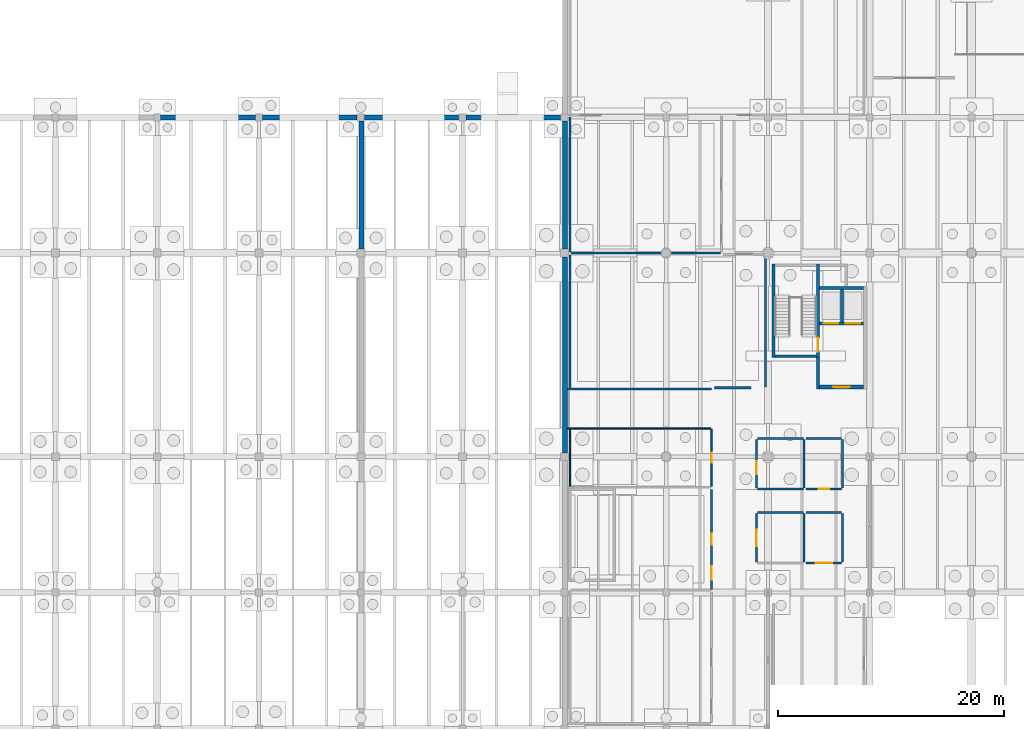
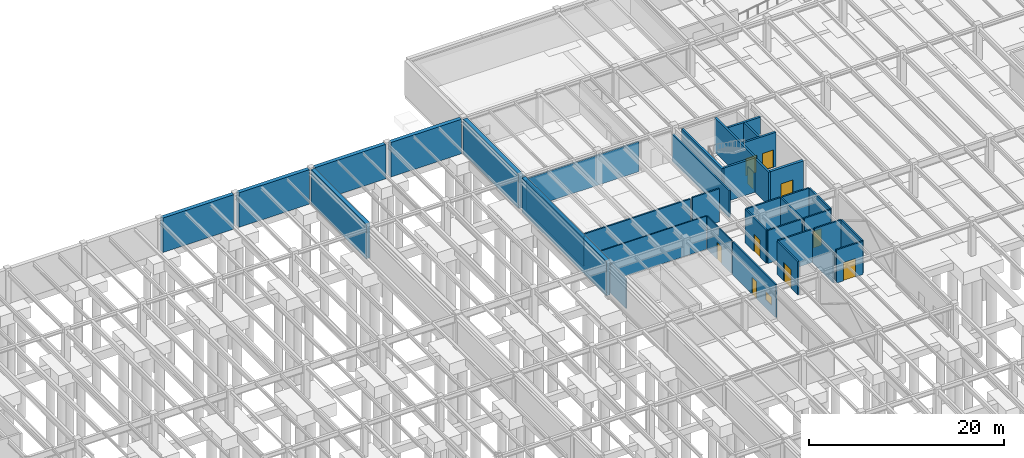
# One storey, part 32 of 40: 38 walls, 10 doors, 1 window, 11 openings.
"""IFC4 building model written with IfcOpenShell, lengths in metres."""

from ifc_helpers import new_model, si_unit, direction, frame, frame_2d, origin, place, context, subcontext, project, spatial, rectangle, extrude, material, layer, layer_set, type_object, element, fill, save


model = new_model("IFC4")

# Units and contexts
model_context = context("Model", 3, precision=1e-05, world=origin(), true_north=direction((0.0, 1.0)))
body_context = subcontext(model_context, "Body", "Model", "MODEL_VIEW")
ifc_project = project(units=[si_unit("LENGTHUNIT", "METRE"), si_unit("AREAUNIT", "SQUARE_METRE"), si_unit("VOLUMEUNIT", "CUBIC_METRE"), si_unit("PLANEANGLEUNIT", "RADIAN"), si_unit("MASSUNIT", "GRAM", prefix="KILO")], contexts=[model_context])

# Site, building, storey
site_placement = place(None, origin())
site = spatial("IfcSite", under=ifc_project, at=site_placement, CompositionType="ELEMENT")
building_placement = place(site_placement, origin())
building = spatial("IfcBuilding", under=site, at=building_placement, Name="Montelvaro Courts of Justice", CompositionType="ELEMENT")
storey_placement = place(building_placement, frame((0.0, 0.0, -4.5)))
storey = spatial("IfcBuildingStorey", under=building, at=storey_placement, Name="B01", CompositionType="ELEMENT", Elevation=-4.5)

# Wall, opening, door
ifc_material_1 = material(Name="Concrete C40/50", Category="concrete")
ifc_layer_1 = layer(ifc_material_1, 0.320068359375)
ifc_layer_set_1 = layer_set([ifc_layer_1], Name="Concrete C40/50")
wall_type_1 = type_object("IfcWallType", Name="CoreWall_320", PredefinedType="SHEAR", material=ifc_layer_set_1)
wall_1_placement = place(storey_placement, frame((121.5400390625, 84.159912109375, 0.0), z_axis=(0.0, 0.0, 1.0), x_axis=(1.0, 0.0, 0.0)))
wall_1 = element("IfcWall", 1, at=wall_1_placement, inside=storey, type_object=wall_type_1, Name="Core Shear Wall CW-02 K3-S (B01)", PredefinedType="SHEAR", context=body_context, shape_type="SweptSolid", body=[
    extrude(rectangle(XDim=3.89990234375, YDim=0.320068359375, at=frame_2d((1.949951171875, 0.0))), origin(), (0.0, 0.0, 1.0), 4.159912109375),
])
opening_1_placement = place(wall_1_placement, frame((1.22509765625, 0.0, 0.0)))
opening_1 = element("IfcOpeningElement", 2, at=opening_1_placement, cuts=wall_1, Name="Opening DL-B01-K3", PredefinedType="OPENING", context=body_context, shape_type="SweptSolid", body=[
    extrude(rectangle(XDim=1.449951171875, YDim=2.199951171875, at=frame_2d((0.72509765625, 1.10009765625))), frame((0.0, 0.1748046875, 0.0), z_axis=(0.0, -1.0, 0.0), x_axis=(1.0, 0.0, 0.0)), (0.0, 0.0, 1.0), 0.349853515625),
])
ifc_material_2 = material(Name="Galvanised steel S355 security door", Category="steel")
door_type_1 = type_object("IfcDoorType", Name="LobbyFireDoor_145x220", OperationType="DOUBLE_DOOR_SINGLE_SWING", PredefinedType="DOOR", material=ifc_material_2)
door_1_placement = place(opening_1_placement, origin())
door_1 = element("IfcDoor", 3, at=door_1_placement, inside=storey, type_object=door_type_1, Name="Core Lobby Fire Door DL-B01-K3", OperationType="DOUBLE_DOOR_SINGLE_SWING", OverallHeight=2.199951171875, OverallWidth=1.449951171875, PredefinedType="DOOR", context=body_context, shape_type="SweptSolid", body=[
    extrude(rectangle(XDim=1.449951171875, YDim=2.199951171875, at=frame_2d((0.72509765625, 1.10009765625))), frame((0.0, 0.02490234375, 0.0), z_axis=(0.0, -1.0, 0.0), x_axis=(1.0, 0.0, 0.0)), (0.0, 0.0, 1.0), 0.050048828125),
])
fill(opening_1, door_1)

# Walls
ifc_material_3 = material(Name="Fire-rated gypsum and steel stud", Category="steel")
ifc_layer_2 = layer(ifc_material_3, 0.179931640625)
ifc_layer_set_2 = layer_set([ifc_layer_2], Name="Fire-rated gypsum and steel stud")
wall_type_2 = type_object("IfcWallType", Name="CorridorFireWall_180", PredefinedType="PARTITIONING", material=ifc_layer_set_2)
wall_2_placement = place(storey_placement, frame((112.820068359375, 96.0, 0.0), z_axis=(0.0, 0.0, 1.0), x_axis=(-1.0, 0.0, 0.0)))
element("IfcWall", 4, at=wall_2_placement, inside=storey, type_object=wall_type_2, Name="Interior Partition IW-02 (B01)", PredefinedType="PARTITIONING", context=body_context, shape_type="SweptSolid", body=[
    extrude(rectangle(XDim=13.239990234375, YDim=0.179931640625, at=frame_2d((6.6201171875, 0.0))), origin(), (0.0, 0.0, 1.0), 3.7548828125),
])
wall_3_placement = place(storey_placement, frame((99.5, 96.080078125, 0.0), z_axis=(0.0, 0.0, 1.0), x_axis=(0.0, 1.0, 0.0)))
element("IfcWall", 5, at=wall_3_placement, inside=storey, type_object=wall_type_2, Name="Interior Partition IW-02 (B01)", PredefinedType="PARTITIONING", context=body_context, shape_type="SweptSolid", body=[
    extrude(rectangle(XDim=11.93994140625, YDim=0.179931640625, at=frame_2d((5.969970703125, 0.0))), origin(), (0.0, 0.0, 1.0), 3.8349609375),
])
wall_4_placement = place(storey_placement, frame((115.52001953125, 84.10009765625, 0.0), z_axis=(0.0, 0.0, 1.0), x_axis=(-1.0, 0.0, 0.0)))
element("IfcWall", 6, at=wall_4_placement, inside=storey, type_object=wall_type_2, Name="Interior Partition IW-02 (B01)", PredefinedType="PARTITIONING", context=body_context, shape_type="SweptSolid", body=[
    extrude(rectangle(XDim=3.239990234375, YDim=0.179931640625, at=frame_2d((1.6201171875, 0.0))), origin(), (0.0, 0.0, 1.0), 4.139892578125),
])
wall_5_placement = place(storey_placement, frame((112.02001953125, 84.0, 0.0), z_axis=(0.0, 0.0, 1.0), x_axis=(-1.0, 0.0, 0.0)))
element("IfcWall", 7, at=wall_5_placement, inside=storey, type_object=wall_type_2, Name="Interior Partition IW-02 (B01)", PredefinedType="PARTITIONING", context=body_context, shape_type="SweptSolid", body=[
    extrude(rectangle(XDim=12.75, YDim=0.179931640625, at=frame_2d((6.375, 0.0))), origin(), (0.0, 0.0, 1.0), 4.139892578125),
])
wall_6_placement = place(storey_placement, frame((99.5, 84.080078125, 0.0), z_axis=(0.0, 0.0, 1.0), x_axis=(0.0, 1.0, 0.0)))
element("IfcWall", 8, at=wall_6_placement, inside=storey, type_object=wall_type_2, Name="Interior Partition IW-02 (B01)", PredefinedType="PARTITIONING", context=body_context, shape_type="SweptSolid", body=[
    extrude(rectangle(XDim=11.739990234375, YDim=0.179931640625, at=frame_2d((5.8701171875, 0.0))), origin(), (0.0, 0.0, 1.0), 3.715087890625),
])
wall_7_placement = place(storey_placement, frame((116.800048828125, 95.820068359375, 0.0), z_axis=(0.0, 0.0, 1.0), x_axis=(0.0, -1.0, 0.0)))
element("IfcWall", 9, at=wall_7_placement, inside=storey, type_object=wall_type_2, Name="Interior Partition IW-02 (B01)", PredefinedType="PARTITIONING", context=body_context, shape_type="SweptSolid", body=[
    extrude(rectangle(XDim=11.64013671875, YDim=0.179931640625, at=frame_2d((5.820068359375, 0.0))), origin(), (0.0, 0.0, 1.0), 3.405029296875),
])

# Wall, openings, door, window
wall_8_placement = place(storey_placement, frame((112.0, 75.1201171875, 0.0), z_axis=(0.0, 0.0, 1.0), x_axis=(0.0, -1.0, 0.0)))
wall_8 = element("IfcWall", 10, at=wall_8_placement, inside=storey, type_object=wall_type_2, Name="Interior Partition IW-02 (B01)", PredefinedType="PARTITIONING", context=body_context, shape_type="SweptSolid", body=[
    extrude(rectangle(XDim=8.840087890625, YDim=0.179931640625, at=frame_2d((4.419921875, 0.0))), origin(), (0.0, 0.0, 1.0), 4.139892578125),
])
opening_2_placement = place(wall_8_placement, frame((3.945068359375, 0.0, 0.0)))
opening_2 = element("IfcOpeningElement", 11, at=opening_2_placement, cuts=wall_8, Name="Opening D-B01-005", PredefinedType="OPENING", context=body_context, shape_type="SweptSolid", body=[
    extrude(rectangle(XDim=0.949951171875, YDim=2.10009765625, at=frame_2d((0.47509765625, 1.050048828125))), frame((0.0, 0.10498046875, 0.0), z_axis=(0.0, -1.0, 0.0), x_axis=(1.0, 0.0, 0.0)), (0.0, 0.0, 1.0), 0.209716796875),
])
opening_3_placement = place(wall_8_placement, frame((6.7900390625, 0.0, 1.050048828125)))
opening_3 = element("IfcOpeningElement", 12, at=opening_3_placement, cuts=wall_8, Name="Opening WI-03", PredefinedType="OPENING", context=body_context, shape_type="SweptSolid", body=[
    extrude(rectangle(XDim=1.199951171875, YDim=1.0, at=frame_2d((0.60009765625, 0.5))), frame((0.0, 0.10498046875, 0.0), z_axis=(0.0, -1.0, 0.0), x_axis=(1.0, 0.0, 0.0)), (0.0, 0.0, 1.0), 0.209716796875),
])
door_type_2 = type_object("IfcDoorType", Name="CustodyCellDoor_095x210", OperationType="NOTDEFINED", PredefinedType="DOOR", material=ifc_material_2)
door_2_placement = place(opening_2_placement, frame((0.949951171875, 0.0, 0.0), z_axis=(0.0, 0.0, 1.0), x_axis=(-1.0, 0.0, 0.0)))
door_2 = element("IfcDoor", 13, at=door_2_placement, inside=storey, type_object=door_type_2, Name="Interior Door D-B01-005 (Forensic Toxicology Laboratory B01)", OperationType="SINGLE_SWING_LEFT", OverallHeight=2.10009765625, OverallWidth=0.949951171875, PredefinedType="DOOR", context=body_context, shape_type="SweptSolid", body=[
    extrude(rectangle(XDim=0.949951171875, YDim=2.10009765625, at=frame_2d((0.47509765625, 1.050048828125))), frame((0.0, 0.02490234375, 0.0), z_axis=(0.0, -1.0, 0.0), x_axis=(1.0, 0.0, 0.0)), (0.0, 0.0, 1.0), 0.050048828125),
])
fill(opening_2, door_2)
ifc_material_4 = material(Name="Acoustic laminated double glazing", Category="glass")
window_type = type_object("IfcWindowType", Name="IntVision_120x100", PartitioningType="SINGLE_PANEL", PredefinedType="WINDOW", material=ifc_material_4)
window_placement = place(opening_3_placement, origin())
window = element("IfcWindow", 14, at=window_placement, inside=storey, type_object=window_type, Name="Interior Vision Panel WI-003", OverallHeight=1.0, OverallWidth=1.199951171875, PartitioningType="SINGLE_PANEL", PredefinedType="WINDOW", context=body_context, shape_type="SweptSolid", body=[
    extrude(rectangle(XDim=1.199951171875, YDim=1.0, at=frame_2d((0.60009765625, 0.5))), frame((0.0, 0.030029296875, 0.0), z_axis=(0.0, -1.0, 0.0), x_axis=(1.0, 0.0, 0.0)), (0.0, 0.0, 1.0), 0.06005859375),
])
fill(opening_3, window)

# Wall, opening, door
wall_9_placement = place(storey_placement, frame((116.0, 68.679931640625, 0.0), z_axis=(0.0, 0.0, 1.0), x_axis=(0.0, 1.0, 0.0)))
wall_9 = element("IfcWall", 15, at=wall_9_placement, inside=storey, type_object=wall_type_2, Name="Interior Partition IW-02 (B01)", PredefinedType="PARTITIONING", context=body_context, shape_type="SweptSolid", body=[
    extrude(rectangle(XDim=4.2900390625, YDim=0.179931640625, at=frame_2d((2.14501953125, 0.0))), origin(), (0.0, 0.0, 1.0), 4.139892578125),
])
opening_4_placement = place(wall_9_placement, frame((1.419921875, 0.0, 0.0)))
opening_4 = element("IfcOpeningElement", 16, at=opening_4_placement, cuts=wall_9, Name="Opening D-B01-006", PredefinedType="OPENING", context=body_context, shape_type="SweptSolid", body=[
    extrude(rectangle(XDim=1.449951171875, YDim=2.300048828125, at=frame_2d((0.72509765625, 1.14990234375))), frame((0.0, 0.10498046875, 0.0), z_axis=(0.0, -1.0, 0.0), x_axis=(1.0, 0.0, 0.0)), (0.0, 0.0, 1.0), 0.209716796875),
])
door_type_3 = type_object("IfcDoorType", Name="ArchiveVaultDoor_145x230", OperationType="DOUBLE_DOOR_SINGLE_SWING", PredefinedType="DOOR", material=ifc_material_2)
door_3_placement = place(opening_4_placement, origin())
door_3 = element("IfcDoor", 17, at=door_3_placement, inside=storey, type_object=door_type_3, Name="Interior Door D-B01-006 (Custody Male Restroom)", OperationType="DOUBLE_DOOR_SINGLE_SWING", OverallHeight=2.300048828125, OverallWidth=1.449951171875, PredefinedType="DOOR", context=body_context, shape_type="SweptSolid", body=[
    extrude(rectangle(XDim=1.449951171875, YDim=2.300048828125, at=frame_2d((0.72509765625, 1.14990234375))), frame((0.0, 0.02490234375, 0.0), z_axis=(0.0, -1.0, 0.0), x_axis=(1.0, 0.0, 0.0)), (0.0, 0.0, 1.0), 0.050048828125),
])
fill(opening_4, door_3)

# Walls
wall_10_placement = place(storey_placement, frame((116.080078125, 73.050048828125, 0.0), z_axis=(0.0, 0.0, 1.0), x_axis=(1.0, 0.0, 0.0)))
element("IfcWall", 18, at=wall_10_placement, inside=storey, type_object=wall_type_2, Name="Interior Partition IW-02 (B01)", PredefinedType="PARTITIONING", context=body_context, shape_type="SweptSolid", body=[
    extrude(rectangle(XDim=4.0400390625, YDim=0.179931640625, at=frame_2d((2.02001953125, 0.0))), origin(), (0.0, 0.0, 1.0), 4.139892578125),
])
wall_11_placement = place(storey_placement, frame((120.199951171875, 72.969970703125, 0.0), z_axis=(0.0, 0.0, 1.0), x_axis=(0.0, -1.0, 0.0)))
element("IfcWall", 19, at=wall_11_placement, inside=storey, type_object=wall_type_2, Name="Interior Partition IW-02 (B01)", PredefinedType="PARTITIONING", context=body_context, shape_type="SweptSolid", body=[
    extrude(rectangle(XDim=4.2900390625, YDim=0.179931640625, at=frame_2d((2.14501953125, 0.0))), origin(), (0.0, 0.0, 1.0), 3.8349609375),
])

# Wall, opening, door
wall_12_placement = place(storey_placement, frame((116.0, 75.22998046875, 0.0), z_axis=(0.0, 0.0, 1.0), x_axis=(0.0, 1.0, 0.0)))
wall_12 = element("IfcWall", 20, at=wall_12_placement, inside=storey, type_object=wall_type_2, Name="Interior Partition IW-02 (B01)", PredefinedType="PARTITIONING", context=body_context, shape_type="SweptSolid", body=[
    extrude(rectangle(XDim=4.2900390625, YDim=0.179931640625, at=frame_2d((2.14501953125, 0.0))), origin(), (0.0, 0.0, 1.0), 4.139892578125),
])
opening_5_placement = place(wall_12_placement, frame((1.22705078125, 0.0, 0.0)))
opening_5 = element("IfcOpeningElement", 21, at=opening_5_placement, cuts=wall_12, Name="Opening D-B01-007", PredefinedType="OPENING", context=body_context, shape_type="SweptSolid", body=[
    extrude(rectangle(XDim=1.14990234375, YDim=2.14990234375, at=frame_2d((0.574951171875, 1.074951171875))), frame((0.0, 0.10498046875, 0.0), z_axis=(0.0, -1.0, 0.0), x_axis=(1.0, 0.0, 0.0)), (0.0, 0.0, 1.0), 0.209716796875),
])
door_type_4 = type_object("IfcDoorType", Name="CustodyDoor_115x215", OperationType="NOTDEFINED", PredefinedType="DOOR", material=ifc_material_2)
door_4_placement = place(opening_5_placement, frame((1.14990234375, 0.0, 0.0), z_axis=(0.0, 0.0, 1.0), x_axis=(-1.0, 0.0, 0.0)))
door_4 = element("IfcDoor", 22, at=door_4_placement, inside=storey, type_object=door_type_4, Name="Interior Door D-B01-007 (Custody Female Restroom)", OperationType="SINGLE_SWING_RIGHT", OverallHeight=2.14990234375, OverallWidth=1.14990234375, PredefinedType="DOOR", context=body_context, shape_type="SweptSolid", body=[
    extrude(rectangle(XDim=1.14990234375, YDim=2.14990234375, at=frame_2d((0.574951171875, 1.074951171875))), frame((0.0, 0.02490234375, 0.0), z_axis=(0.0, -1.0, 0.0), x_axis=(1.0, 0.0, 0.0)), (0.0, 0.0, 1.0), 0.050048828125),
])
fill(opening_5, door_4)

# Walls
wall_13_placement = place(storey_placement, frame((116.080078125, 79.60009765625, 0.0), z_axis=(0.0, 0.0, 1.0), x_axis=(1.0, 0.0, 0.0)))
element("IfcWall", 23, at=wall_13_placement, inside=storey, type_object=wall_type_2, Name="Interior Partition IW-02 (B01)", PredefinedType="PARTITIONING", context=body_context, shape_type="SweptSolid", body=[
    extrude(rectangle(XDim=4.0400390625, YDim=0.179931640625, at=frame_2d((2.02001953125, 0.0))), origin(), (0.0, 0.0, 1.0), 4.139892578125),
])
wall_14_placement = place(storey_placement, frame((120.199951171875, 79.52001953125, 0.0), z_axis=(0.0, 0.0, 1.0), x_axis=(0.0, -1.0, 0.0)))
element("IfcWall", 24, at=wall_14_placement, inside=storey, type_object=wall_type_2, Name="Interior Partition IW-02 (B01)", PredefinedType="PARTITIONING", context=body_context, shape_type="SweptSolid", body=[
    extrude(rectangle(XDim=4.2900390625, YDim=0.179931640625, at=frame_2d((2.14501953125, 0.0))), origin(), (0.0, 0.0, 1.0), 4.139892578125),
])
wall_15_placement = place(storey_placement, frame((120.1201171875, 75.14990234375, 0.0), z_axis=(0.0, 0.0, 1.0), x_axis=(-1.0, 0.0, 0.0)))
element("IfcWall", 25, at=wall_15_placement, inside=storey, type_object=wall_type_2, Name="Interior Partition IW-02 (B01)", PredefinedType="PARTITIONING", context=body_context, shape_type="SweptSolid", body=[
    extrude(rectangle(XDim=4.0400390625, YDim=0.179931640625, at=frame_2d((2.02001953125, 0.0))), origin(), (0.0, 0.0, 1.0), 4.139892578125),
])
wall_16_placement = place(storey_placement, frame((120.3798828125, 79.60009765625, 0.0), z_axis=(0.0, 0.0, 1.0), x_axis=(1.0, 0.0, 0.0)))
element("IfcWall", 26, at=wall_16_placement, inside=storey, type_object=wall_type_2, Name="Interior Partition IW-02 (B01)", PredefinedType="PARTITIONING", context=body_context, shape_type="SweptSolid", body=[
    extrude(rectangle(XDim=3.14013671875, YDim=0.179931640625, at=frame_2d((1.570068359375, 0.0))), origin(), (0.0, 0.0, 1.0), 4.139892578125),
])
wall_17_placement = place(storey_placement, frame((123.60009765625, 79.52001953125, 0.0), z_axis=(0.0, 0.0, 1.0), x_axis=(0.0, -1.0, 0.0)))
element("IfcWall", 27, at=wall_17_placement, inside=storey, type_object=wall_type_2, Name="Interior Partition IW-02 (B01)", PredefinedType="PARTITIONING", context=body_context, shape_type="SweptSolid", body=[
    extrude(rectangle(XDim=4.2900390625, YDim=0.179931640625, at=frame_2d((2.14501953125, 0.0))), origin(), (0.0, 0.0, 1.0), 4.139892578125),
])

# Wall, opening, door
wall_18_placement = place(storey_placement, frame((123.52001953125, 75.14990234375, 0.0), z_axis=(0.0, 0.0, 1.0), x_axis=(-1.0, 0.0, 0.0)))
wall_18 = element("IfcWall", 28, at=wall_18_placement, inside=storey, type_object=wall_type_2, Name="Interior Partition IW-02 (B01)", PredefinedType="PARTITIONING", context=body_context, shape_type="SweptSolid", body=[
    extrude(rectangle(XDim=3.14013671875, YDim=0.179931640625, at=frame_2d((1.570068359375, 0.0))), origin(), (0.0, 0.0, 1.0), 4.139892578125),
])
opening_6_placement = place(wall_18_placement, frame((1.094970703125, 0.0, 0.0)))
opening_6 = element("IfcOpeningElement", 29, at=opening_6_placement, cuts=wall_18, Name="Opening D-B01-008", PredefinedType="OPENING", context=body_context, shape_type="SweptSolid", body=[
    extrude(rectangle(XDim=0.949951171875, YDim=2.10009765625, at=frame_2d((0.47509765625, 1.050048828125))), frame((0.0, 0.10498046875, 0.0), z_axis=(0.0, -1.0, 0.0), x_axis=(1.0, 0.0, 0.0)), (0.0, 0.0, 1.0), 0.209716796875),
])
door_5_placement = place(opening_6_placement, origin())
door_5 = element("IfcDoor", 30, at=door_5_placement, inside=storey, type_object=door_type_2, Name="Interior Door D-B01-008 (Custody Accessible WC)", OperationType="SINGLE_SWING_LEFT", OverallHeight=2.10009765625, OverallWidth=0.949951171875, PredefinedType="DOOR", context=body_context, shape_type="SweptSolid", body=[
    extrude(rectangle(XDim=0.949951171875, YDim=2.10009765625, at=frame_2d((0.47509765625, 1.050048828125))), frame((0.0, 0.02490234375, 0.0), z_axis=(0.0, -1.0, 0.0), x_axis=(1.0, 0.0, 0.0)), (0.0, 0.0, 1.0), 0.050048828125),
])
fill(opening_6, door_5)

# Wall
wall_19_placement = place(storey_placement, frame((123.60009765625, 72.969970703125, 0.0), z_axis=(0.0, 0.0, 1.0), x_axis=(0.0, -1.0, 0.0)))
element("IfcWall", 31, at=wall_19_placement, inside=storey, type_object=wall_type_2, Name="Interior Partition IW-02 (B01)", PredefinedType="PARTITIONING", context=body_context, shape_type="SweptSolid", body=[
    extrude(rectangle(XDim=4.2900390625, YDim=0.179931640625, at=frame_2d((2.14501953125, 0.0))), origin(), (0.0, 0.0, 1.0), 4.139892578125),
])

# Wall, opening, door
wall_20_placement = place(storey_placement, frame((123.52001953125, 68.60009765625, 0.0), z_axis=(0.0, 0.0, 1.0), x_axis=(-1.0, 0.0, 0.0)))
wall_20 = element("IfcWall", 32, at=wall_20_placement, inside=storey, type_object=wall_type_2, Name="Interior Partition IW-02 (B01)", PredefinedType="PARTITIONING", context=body_context, shape_type="SweptSolid", body=[
    extrude(rectangle(XDim=3.14013671875, YDim=0.179931640625, at=frame_2d((1.570068359375, 0.0))), origin(), (0.0, 0.0, 1.0), 4.139892578125),
])
opening_7_placement = place(wall_20_placement, frame((0.844970703125, 0.0, 0.0)))
opening_7 = element("IfcOpeningElement", 33, at=opening_7_placement, cuts=wall_20, Name="Opening D-B01-009", PredefinedType="OPENING", context=body_context, shape_type="SweptSolid", body=[
    extrude(rectangle(XDim=1.449951171875, YDim=2.300048828125, at=frame_2d((0.72509765625, 1.14990234375))), frame((0.0, 0.10498046875, 0.0), z_axis=(0.0, -1.0, 0.0), x_axis=(1.0, 0.0, 0.0)), (0.0, 0.0, 1.0), 0.209716796875),
])
door_6_placement = place(opening_7_placement, frame((1.449951171875, 0.0, 0.0), z_axis=(0.0, 0.0, 1.0), x_axis=(-1.0, 0.0, 0.0)))
door_6 = element("IfcDoor", 34, at=door_6_placement, inside=storey, type_object=door_type_3, Name="Interior Door D-B01-009 (Custody Cleaners' Store)", OperationType="DOUBLE_DOOR_SINGLE_SWING", OverallHeight=2.300048828125, OverallWidth=1.449951171875, PredefinedType="DOOR", context=body_context, shape_type="SweptSolid", body=[
    extrude(rectangle(XDim=1.449951171875, YDim=2.300048828125, at=frame_2d((0.72509765625, 1.14990234375))), frame((0.0, 0.02490234375, 0.0), z_axis=(0.0, -1.0, 0.0), x_axis=(1.0, 0.0, 0.0)), (0.0, 0.0, 1.0), 0.050048828125),
])
fill(opening_7, door_6)

# Walls
wall_21_placement = place(storey_placement, frame((120.3798828125, 73.050048828125, 0.0), z_axis=(0.0, 0.0, 1.0), x_axis=(1.0, 0.0, 0.0)))
element("IfcWall", 35, at=wall_21_placement, inside=storey, type_object=wall_type_2, Name="Interior Partition IW-02 (B01)", PredefinedType="PARTITIONING", context=body_context, shape_type="SweptSolid", body=[
    extrude(rectangle(XDim=3.14013671875, YDim=0.179931640625, at=frame_2d((1.570068359375, 0.0))), origin(), (0.0, 0.0, 1.0), 4.139892578125),
])
ifc_material_5 = material(Name="Gypsum board on metal stud")
ifc_layer_3 = layer(ifc_material_5, 0.1201171875)
ifc_layer_set_3 = layer_set([ifc_layer_3], Name="Gypsum board on metal stud")
wall_type_3 = type_object("IfcWallType", Name="OfficePartition_120", PredefinedType="PARTITIONING", material=ifc_layer_set_3)
wall_22_placement = place(storey_placement, frame((99.5, 75.3798828125, 0.0), z_axis=(0.0, 0.0, 1.0), x_axis=(0.0, 1.0, 0.0)))
element("IfcWall", 36, at=wall_22_placement, inside=storey, type_object=wall_type_3, Name="Interior Partition IW-05 (B01)", PredefinedType="PARTITIONING", context=body_context, shape_type="SweptSolid", body=[
    extrude(rectangle(XDim=5.0400390625, YDim=0.1201171875, at=frame_2d((2.52001953125, 0.0))), origin(), (0.0, 0.0, 1.0), 3.715087890625),
])
wall_23_placement = place(storey_placement, frame((99.27001953125, 80.5, 0.0), z_axis=(0.0, 0.0, 1.0), x_axis=(1.0, 0.0, 0.0)))
element("IfcWall", 37, at=wall_23_placement, inside=storey, type_object=wall_type_3, Name="Interior Partition IW-05 (B01)", PredefinedType="PARTITIONING", context=body_context, shape_type="SweptSolid", body=[
    extrude(rectangle(XDim=12.64990234375, YDim=0.1201171875, at=frame_2d((6.324951171875, 0.0))), origin(), (0.0, 0.0, 1.0), 4.139892578125),
])

# Wall, opening, door
wall_24_placement = place(storey_placement, frame((112.0, 80.419921875, 0.0), z_axis=(0.0, 0.0, 1.0), x_axis=(0.0, -1.0, 0.0)))
wall_24 = element("IfcWall", 38, at=wall_24_placement, inside=storey, type_object=wall_type_3, Name="Interior Partition IW-05 (B01)", PredefinedType="PARTITIONING", context=body_context, shape_type="SweptSolid", body=[
    extrude(rectangle(XDim=5.0400390625, YDim=0.1201171875, at=frame_2d((2.52001953125, 0.0))), origin(), (0.0, 0.0, 1.0), 4.139892578125),
])
opening_8_placement = place(wall_24_placement, frame((2.070068359375, 0.0, 0.0)))
opening_8 = element("IfcOpeningElement", 39, at=opening_8_placement, cuts=wall_24, Name="Opening D-B01-004", PredefinedType="OPENING", context=body_context, shape_type="SweptSolid", body=[
    extrude(rectangle(XDim=0.89990234375, YDim=2.10009765625, at=frame_2d((0.449951171875, 1.050048828125))), frame((0.0, 0.074951171875, 0.0), z_axis=(0.0, -1.0, 0.0), x_axis=(1.0, 0.0, 0.0)), (0.0, 0.0, 1.0), 0.14990234375),
])
ifc_material_6 = material(Name="Acoustic oak timber veneer", Category="wood")
door_type_5 = type_object("IfcDoorType", Name="OfficeDoor_090x210", OperationType="NOTDEFINED", PredefinedType="DOOR", material=ifc_material_6)
door_7_placement = place(opening_8_placement, origin())
door_7 = element("IfcDoor", 40, at=door_7_placement, inside=storey, type_object=door_type_5, Name="Interior Door D-B01-004 (Forensic Medical Examination Clinic)", OperationType="SINGLE_SWING_RIGHT", OverallHeight=2.10009765625, OverallWidth=0.89990234375, PredefinedType="DOOR", context=body_context, shape_type="SweptSolid", body=[
    extrude(rectangle(XDim=0.89990234375, YDim=2.10009765625, at=frame_2d((0.449951171875, 1.050048828125))), frame((0.0, 0.02490234375, 0.0), z_axis=(0.0, -1.0, 0.0), x_axis=(1.0, 0.0, 0.0)), (0.0, 0.0, 1.0), 0.050048828125),
])
fill(opening_8, door_7)

# Walls
ifc_material_7 = material(Name="Concrete C35/45", Category="concrete")
ifc_layer_4 = layer(ifc_material_7, 0.449951171875)
ifc_layer_set_4 = layer_set([ifc_layer_4], Name="Concrete C35/45")
wall_type_4 = type_object("IfcWallType", Name="RetainingWall_450", PredefinedType="USERDEFINED", material=ifc_layer_set_4)
wall_25_placement = place(storey_placement, frame((99.050048828125, 107.7041015625, 0.0), z_axis=(0.0, 0.0, 1.0), x_axis=(0.0, -1.0, 0.0)))
element("IfcWall", 41, at=wall_25_placement, inside=storey, type_object=wall_type_4, Name="Basement Plinth Retaining Wall RW-01-027", ObjectType="RETAININGWALL", PredefinedType="USERDEFINED", context=body_context, shape_type="SweptSolid", body=[
    extrude(rectangle(XDim=11.358154296875, YDim=0.449951171875, at=frame_2d((5.67919921875, 0.0))), origin(), (0.0, 0.0, 1.0), 4.320068359375),
])
wall_26_placement = place(storey_placement, frame((99.050048828125, 95.654052734375, 0.0), z_axis=(0.0, 0.0, 1.0), x_axis=(0.0, -1.0, 0.0)))
element("IfcWall", 42, at=wall_26_placement, inside=storey, type_object=wall_type_4, Name="Basement Plinth Retaining Wall RW-01-028", ObjectType="RETAININGWALL", PredefinedType="USERDEFINED", context=body_context, shape_type="SweptSolid", body=[
    extrude(rectangle(XDim=17.30810546875, YDim=0.449951171875, at=frame_2d((8.654052734375, 0.0))), origin(), (0.0, 0.0, 1.0), 4.320068359375),
])
for number, where, z_axis, x_axis, name in (
    (43, (98.65380859375, 108.0, 0.0), (0.0, 0.0, 1.0), (-1.0, 0.0, 0.0), "Basement Plinth Retaining Wall RW-01-037"),
    (44, (89.7041015625, 108.0, 0.0), (0.0, 0.0, 1.0), (-1.0, 0.0, 0.0), "Basement Plinth Retaining Wall RW-01-038"),
):
    element("IfcWall", number, at=place(storey_placement, frame(where, z_axis=z_axis, x_axis=x_axis)), inside=storey, type_object=wall_type_4, Name=name, ObjectType="RETAININGWALL", PredefinedType="USERDEFINED", context=body_context, shape_type="SweptSolid", body=[
        extrude(rectangle(XDim=8.35791015625, YDim=0.449951171875, at=frame_2d((4.178955078125, 0.0))), origin(), (0.0, 0.0, 1.0), 4.320068359375),
    ])
wall_27_placement = place(storey_placement, frame((81.050048828125, 107.703857421875, 0.0), z_axis=(0.0, 0.0, 1.0), x_axis=(0.0, -1.0, 0.0)))
element("IfcWall", 45, at=wall_27_placement, inside=storey, type_object=wall_type_4, Name="Basement Plinth Retaining Wall RW-01-039", ObjectType="RETAININGWALL", PredefinedType="USERDEFINED", context=body_context, shape_type="SweptSolid", body=[
    extrude(rectangle(XDim=11.337646484375, YDim=0.449951171875, at=frame_2d((5.6689453125, 0.0))), origin(), (0.0, 0.0, 1.0), 4.320068359375),
])
wall_28_placement = place(storey_placement, frame((80.65380859375, 108.0, 0.0), z_axis=(0.0, 0.0, 1.0), x_axis=(-1.0, 0.0, 0.0)))
element("IfcWall", 46, at=wall_28_placement, inside=storey, type_object=wall_type_4, Name="Basement Plinth Retaining Wall RW-01-058", ObjectType="RETAININGWALL", PredefinedType="USERDEFINED", context=body_context, shape_type="SweptSolid", body=[
    extrude(rectangle(XDim=8.35791015625, YDim=0.449951171875, at=frame_2d((4.178955078125, 0.0))), origin(), (0.0, 0.0, 1.0), 4.320068359375),
])
wall_29_placement = place(storey_placement, frame((71.7041015625, 108.0, 0.0), z_axis=(0.0, 0.0, 1.0), x_axis=(-1.0, 0.0, 0.0)))
element("IfcWall", 47, at=wall_29_placement, inside=storey, type_object=wall_type_4, Name="Basement Plinth Retaining Wall RW-01-059", ObjectType="RETAININGWALL", PredefinedType="USERDEFINED", context=body_context, shape_type="SweptSolid", body=[
    extrude(rectangle(XDim=8.408203125, YDim=0.449951171875, at=frame_2d((4.2041015625, 0.0))), origin(), (0.0, 0.0, 1.0), 4.320068359375),
])
ifc_layer_5 = layer(ifc_material_7, 0.239990234375)
ifc_layer_set_5 = layer_set([ifc_layer_5], Name="Concrete C35/45")
wall_type_5 = type_object("IfcWallType", Name="ShaftWall_240", PredefinedType="SHEAR", material=ifc_layer_set_5)
wall_30_placement = place(storey_placement, frame((117.47998046875, 86.760009765625, 0.0), z_axis=(0.0, 0.0, 1.0), x_axis=(0.0, 1.0, 0.0)))
element("IfcWall", 48, at=wall_30_placement, inside=storey, type_object=wall_type_5, Name="Protected Stair Structural Wall ST-K3-W (B01)", PredefinedType="SHEAR", context=body_context, shape_type="SweptSolid", body=[
    extrude(rectangle(XDim=8.280029296875, YDim=0.239990234375, at=frame_2d((4.14013671875, 0.0))), origin(), (0.0, 0.0, 1.0), 4.31005859375),
])

# Wall, opening, door
wall_31_placement = place(storey_placement, frame((121.419921875, 86.760009765625, 0.0), z_axis=(0.0, 0.0, 1.0), x_axis=(0.0, 1.0, 0.0)))
wall_31 = element("IfcWall", 49, at=wall_31_placement, inside=storey, type_object=wall_type_5, Name="Protected Stair Structural Wall ST-K3-E (B01)", PredefinedType="SHEAR", context=body_context, shape_type="SweptSolid", body=[
    extrude(rectangle(XDim=8.280029296875, YDim=0.239990234375, at=frame_2d((4.14013671875, 0.0))), origin(), (0.0, 0.0, 1.0), 4.31005859375),
])
opening_9_placement = place(wall_31_placement, frame((0.5400390625, 0.0, 0.0)))
opening_9 = element("IfcOpeningElement", 50, at=opening_9_placement, cuts=wall_31, Name="Opening DS-B01-K3", PredefinedType="OPENING", context=body_context, shape_type="SweptSolid", body=[
    extrude(rectangle(XDim=1.199951171875, YDim=2.14990234375, at=frame_2d((0.60009765625, 1.074951171875))), frame((0.0, 0.134765625, 0.0), z_axis=(0.0, -1.0, 0.0), x_axis=(1.0, 0.0, 0.0)), (0.0, 0.0, 1.0), 0.269775390625),
])
door_type_6 = type_object("IfcDoorType", Name="StairFireDoor_120x215", OperationType="NOTDEFINED", PredefinedType="DOOR", material=ifc_material_2)
door_8_placement = place(opening_9_placement, frame((1.199951171875, 0.0, 0.0), z_axis=(0.0, 0.0, 1.0), x_axis=(-1.0, 0.0, 0.0)))
door_8 = element("IfcDoor", 51, at=door_8_placement, inside=storey, type_object=door_type_6, Name="Protected Stair Fire Door DS-B01-K3", OperationType="SINGLE_SWING_LEFT", OverallHeight=2.14990234375, OverallWidth=1.199951171875, PredefinedType="DOOR", context=body_context, shape_type="SweptSolid", body=[
    extrude(rectangle(XDim=1.199951171875, YDim=2.14990234375, at=frame_2d((0.60009765625, 1.074951171875))), frame((0.0, 0.02490234375, 0.0), z_axis=(0.0, -1.0, 0.0), x_axis=(1.0, 0.0, 0.0)), (0.0, 0.0, 1.0), 0.050048828125),
])
fill(opening_9, door_8)

# Walls
wall_32_placement = place(storey_placement, frame((117.60009765625, 86.8798828125, 0.0), z_axis=(0.0, 0.0, 1.0), x_axis=(1.0, 0.0, 0.0)))
element("IfcWall", 52, at=wall_32_placement, inside=storey, type_object=wall_type_5, Name="Protected Stair Structural Wall ST-K3-S (B01)", PredefinedType="SHEAR", context=body_context, shape_type="SweptSolid", body=[
    extrude(rectangle(XDim=3.699951171875, YDim=0.239990234375, at=frame_2d((1.85009765625, 0.0))), origin(), (0.0, 0.0, 1.0), 4.31005859375),
])
wall_33_placement = place(storey_placement, frame((121.419921875, 84.0, 0.0), z_axis=(0.0, 0.0, 1.0), x_axis=(0.0, 1.0, 0.0)))
element("IfcWall", 53, at=wall_33_placement, inside=storey, type_object=wall_type_5, Name="Core Lobby Structural Wall K3-W (B01)", PredefinedType="SHEAR", context=body_context, shape_type="SweptSolid", body=[
    extrude(rectangle(XDim=2.760009765625, YDim=0.239990234375, at=frame_2d((1.3798828125, 0.0))), origin(), (0.0, 0.0, 1.0), 4.159912109375),
])

# Wall, openings, doors
wall_34_placement = place(storey_placement, frame((121.5400390625, 89.780029296875, 0.0), z_axis=(0.0, 0.0, 1.0), x_axis=(1.0, 0.0, 0.0)))
wall_34 = element("IfcWall", 54, at=wall_34_placement, inside=storey, type_object=wall_type_5, Name="Lift Shaft Bank Wall K3 (B01)", PredefinedType="SHEAR", context=body_context, shape_type="SweptSolid", body=[
    extrude(rectangle(XDim=3.89990234375, YDim=0.239990234375, at=frame_2d((1.949951171875, 0.0))), origin(), (0.0, 0.0, 1.0), 4.31005859375),
])
opening_10_placement = place(wall_34_placement, frame((0.385009765625, 0.0, 0.0)))
opening_10 = element("IfcOpeningElement", 55, at=opening_10_placement, cuts=wall_34, Name="Opening LD-LC-01-B01", PredefinedType="OPENING", context=body_context, shape_type="SweptSolid", body=[
    extrude(rectangle(XDim=1.300048828125, YDim=2.199951171875, at=frame_2d((0.64990234375, 1.10009765625))), frame((0.0, 0.134765625, 0.0), z_axis=(0.0, -1.0, 0.0), x_axis=(1.0, 0.0, 0.0)), (0.0, 0.0, 1.0), 0.269775390625),
])
opening_11_placement = place(wall_34_placement, frame((2.3349609375, 0.0, 0.0)))
opening_11 = element("IfcOpeningElement", 56, at=opening_11_placement, cuts=wall_34, Name="Opening LD-LG-01-B01", PredefinedType="OPENING", context=body_context, shape_type="SweptSolid", body=[
    extrude(rectangle(XDim=1.300048828125, YDim=2.199951171875, at=frame_2d((0.64990234375, 1.10009765625))), frame((0.0, 0.134765625, 0.0), z_axis=(0.0, -1.0, 0.0), x_axis=(1.0, 0.0, 0.0)), (0.0, 0.0, 1.0), 0.269775390625),
])
door_type_7 = type_object("IfcDoorType", Name="LiftDoor_130x220", OperationType="DOUBLE_DOOR_SLIDING", PredefinedType="DOOR", material=ifc_material_2)
door_9_placement = place(opening_10_placement, origin())
door_9 = element("IfcDoor", 57, at=door_9_placement, inside=storey, type_object=door_type_7, Name="Lift Landing Sliding Door LD-LC-01-B01", OperationType="DOUBLE_DOOR_SLIDING", OverallHeight=2.199951171875, OverallWidth=1.300048828125, PredefinedType="DOOR", context=body_context, shape_type="SweptSolid", body=[
    extrude(rectangle(XDim=1.300048828125, YDim=2.199951171875, at=frame_2d((0.64990234375, 1.10009765625))), frame((0.0, 0.02490234375, 0.0), z_axis=(0.0, -1.0, 0.0), x_axis=(1.0, 0.0, 0.0)), (0.0, 0.0, 1.0), 0.050048828125),
])
fill(opening_10, door_9)
door_10_placement = place(opening_11_placement, origin())
door_10 = element("IfcDoor", 58, at=door_10_placement, inside=storey, type_object=door_type_7, Name="Lift Landing Sliding Door LD-LG-01-B01", OperationType="DOUBLE_DOOR_SLIDING", OverallHeight=2.199951171875, OverallWidth=1.300048828125, PredefinedType="DOOR", context=body_context, shape_type="SweptSolid", body=[
    extrude(rectangle(XDim=1.300048828125, YDim=2.199951171875, at=frame_2d((0.64990234375, 1.10009765625))), frame((0.0, 0.02490234375, 0.0), z_axis=(0.0, -1.0, 0.0), x_axis=(1.0, 0.0, 0.0)), (0.0, 0.0, 1.0), 0.050048828125),
])
fill(opening_11, door_10)

# Walls
wall_35_placement = place(storey_placement, frame((121.5400390625, 92.919921875, 0.0), z_axis=(0.0, 0.0, 1.0), x_axis=(1.0, 0.0, 0.0)))
element("IfcWall", 59, at=wall_35_placement, inside=storey, type_object=wall_type_5, Name="Lift Shaft Back Wall K3 (B01)", PredefinedType="SHEAR", context=body_context, shape_type="SweptSolid", body=[
    extrude(rectangle(XDim=3.89990234375, YDim=0.239990234375, at=frame_2d((1.949951171875, 0.0))), origin(), (0.0, 0.0, 1.0), 4.31005859375),
])
wall_36_placement = place(storey_placement, frame((123.550048828125, 89.89990234375, 0.0), z_axis=(0.0, 0.0, 1.0), x_axis=(0.0, 1.0, 0.0)))
element("IfcWall", 60, at=wall_36_placement, inside=storey, type_object=wall_type_5, Name="Lift Shaft Divider Wall K3-LFD1 (B01)", PredefinedType="SHEAR", context=body_context, shape_type="SweptSolid", body=[
    extrude(rectangle(XDim=2.900146484375, YDim=0.239990234375, at=frame_2d((1.4501953125, 0.0))), origin(), (0.0, 0.0, 1.0), 4.31005859375),
])

save(model, "model.ifc")
